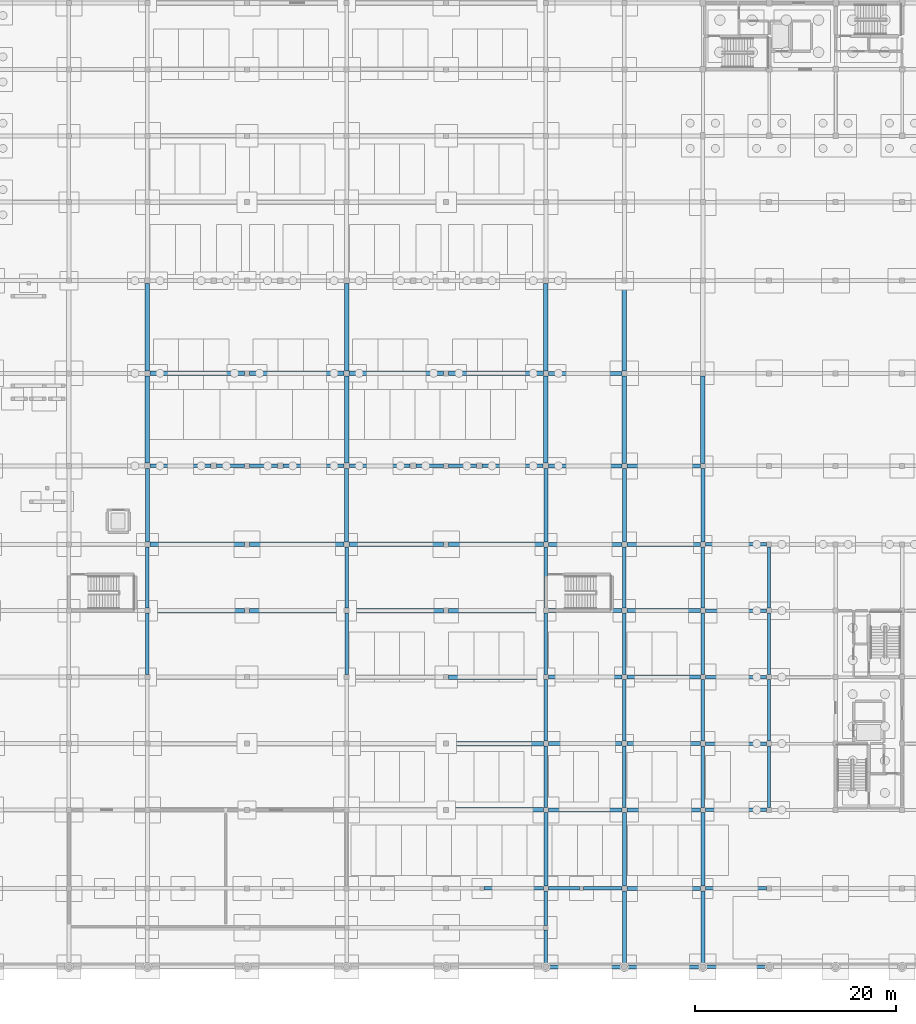
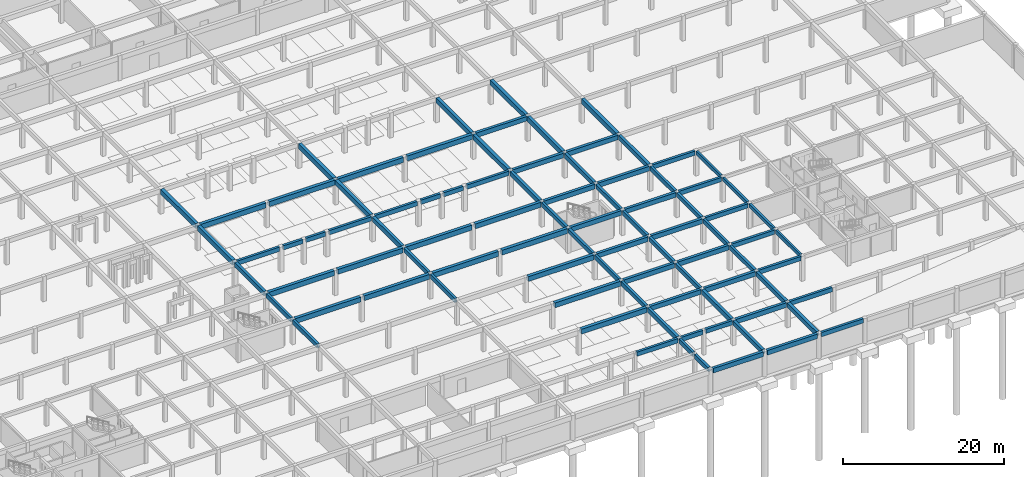
# One storey, part 17 of 37: 90 beams.
"""IFC4 building model written with IfcOpenShell, lengths in metres."""

import ifcopenshell
import ifcopenshell.guid

model = None  # the IFC model being written
_history = None  # IfcOwnerHistory: only IFC2X3 demands one
_inside = {}  # id of a spatial element -> (the spatial element, [elements in it])
_under = {}  # id of a project, library or spatial element -> (it, [spatial elements below it])
_declared = {}  # id of a project -> (the project, [libraries it declares])
_typed = {}  # id of a type object -> (the type object, [elements of that type])
_made_of = {}  # id of a material, layer set ... -> (it, [elements and type objects made of it])


def new_model(schema):
    """Start an empty IFC model of exactly this schema.

    Asked for "IFC4X3", IfcOpenShell would pick the latest addendum, in which some entities
    have other attributes; the version numbers below select the first issue.
    IFC2X3 requires an IfcOwnerHistory on every rooted entity: one is made here for all.
    """
    global model, _history
    if schema == "IFC4X3":
        model = ifcopenshell.file(schema_version=(4, 3, 0, 0))
    else:
        model = ifcopenshell.file(schema=schema)
    _inside.clear()
    _under.clear()
    _declared.clear()
    _typed.clear()
    _made_of.clear()
    _history = None
    if model.schema == "IFC2X3":
        org = make("IfcOrganization", Name="unknown")
        user = make(
            "IfcPersonAndOrganization",
            ThePerson=make("IfcPerson", FamilyName="unknown"),
            TheOrganization=org,
        )
        app = make(
            "IfcApplication",
            ApplicationDeveloper=org,
            Version="unknown",
            ApplicationFullName="unknown",
            ApplicationIdentifier="unknown",
        )
        _history = make(
            "IfcOwnerHistory",
            OwningUser=user,
            OwningApplication=app,
            ChangeAction="ADDED",
            CreationDate=0,
        )
    return model


def make(cls, **values):
    """One entity of the class cls with the attributes given. An attribute that is None is left unset."""
    return model.create_entity(
        cls, **{name: value for name, value in values.items() if value is not None}
    )


def rooted(cls, **values):
    """An entity with a GlobalId (a new one), such as an element, a storey or a relation."""
    return make(cls, GlobalId=ifcopenshell.guid.new(), OwnerHistory=_history, **values)


def si_unit(unit_type, name, prefix=None):
    """IfcSIUnit, for example si_unit("LENGTHUNIT", "METRE", prefix="MILLI")."""
    return make("IfcSIUnit", UnitType=unit_type, Prefix=prefix, Name=name)


def assignment(units):
    """IfcUnitAssignment: the units of a project."""
    return None if units is None else make("IfcUnitAssignment", Units=units)


def point(xyz):
    """IfcCartesianPoint."""
    return None if xyz is None else make("IfcCartesianPoint", Coordinates=xyz)


def direction(xyz):
    """IfcDirection."""
    return None if xyz is None else make("IfcDirection", DirectionRatios=xyz)


def frame(location, z_axis=None, x_axis=None):
    """IfcAxis2Placement3D, a coordinate frame: its origin and axes. An axis left out is left unset."""
    return make(
        "IfcAxis2Placement3D",
        Location=point(location),
        Axis=direction(z_axis),
        RefDirection=direction(x_axis),
    )


def frame_2d(location, x_axis=None):
    """IfcAxis2Placement2D, a coordinate frame in the plane: its origin and x axis."""
    return make(
        "IfcAxis2Placement2D", Location=point(location), RefDirection=direction(x_axis)
    )


def origin():
    """The frame at (0, 0, 0) with its axes left unset."""
    return frame((0.0, 0.0, 0.0))


def origin_2d():
    """The frame at (0, 0) in the plane with its x axis left unset."""
    return frame_2d((0.0, 0.0))


def place(relative_to, where):
    """IfcLocalPlacement: puts the frame where relative to a parent placement (None: the world)."""
    return make(
        "IfcLocalPlacement", PlacementRelTo=relative_to, RelativePlacement=where
    )


def context(
    kind, dimensions, precision=None, world=None, true_north=None, identifier=None
):
    """IfcGeometricRepresentationContext, for example the 3D "Model" context."""
    return make(
        "IfcGeometricRepresentationContext",
        ContextIdentifier=identifier,
        ContextType=kind,
        CoordinateSpaceDimension=dimensions,
        Precision=precision,
        WorldCoordinateSystem=world,
        TrueNorth=true_north,
    )


def subcontext(parent, identifier, kind, view, scale=None):
    """IfcGeometricRepresentationSubContext, for example "Body" below "Model"."""
    return make(
        "IfcGeometricRepresentationSubContext",
        ContextIdentifier=identifier,
        ContextType=kind,
        ParentContext=parent,
        TargetScale=scale,
        TargetView=view,
    )


def project(units=None, contexts=None):
    """IfcProject with its units and contexts."""
    return rooted(
        "IfcProject",
        Name="project",
        RepresentationContexts=contexts,
        UnitsInContext=assignment(units),
    )


def spatial(cls, under=None, at=None, **own):
    """A site, building, storey or space (cls), placed at a placement, below another one or the project."""
    s = rooted(cls, ObjectPlacement=at, **own)
    if under is not None:
        _under.setdefault(under.id(), (under, []))[1].append(s)
    return s


def profile(cls, at=None, kind="AREA", **sizes):
    """A parametric profile (cls). Its sizes go by their IFC names, for example OverallWidth=200.0."""
    return make(cls, ProfileType=kind, Position=at, **sizes)


def rectangle(**sizes):
    """IfcRectangleProfileDef."""
    return profile("IfcRectangleProfileDef", **sizes)


def extrude(swept, where, along, depth):
    """IfcExtrudedAreaSolid: the profile swept, set in the frame where, extruded along a direction by depth."""
    return make(
        "IfcExtrudedAreaSolid",
        SweptArea=swept,
        Position=where,
        ExtrudedDirection=direction(along),
        Depth=depth,
    )


def shape(context_of_items, identifier, shape_type, items):
    """IfcShapeRepresentation: the items that make up one representation, for example the "Body"."""
    return make(
        "IfcShapeRepresentation",
        ContextOfItems=context_of_items,
        RepresentationIdentifier=identifier,
        RepresentationType=shape_type,
        Items=items,
    )


def material(Name=None, Category=None):
    """IfcMaterial."""
    return make("IfcMaterial", Name=Name, Category=Category)


def material_profile(
    of_material, cross_section, Name=None, Category=None, Priority=None
):
    """IfcMaterialProfile: a cross section and its material."""
    return make(
        "IfcMaterialProfile",
        Name=Name,
        Material=of_material,
        Profile=cross_section,
        Priority=Priority,
        Category=Category,
    )


def profile_set(profiles, Name=None, composite=None):
    """IfcMaterialProfileSet."""
    return make(
        "IfcMaterialProfileSet",
        Name=Name,
        MaterialProfiles=profiles,
        CompositeProfile=composite,
    )


def made_of(thing, what):
    """Note that an element or type object is made of a material, layer set ...; save() writes the relation."""
    if what is not None:
        _made_of.setdefault(what.id(), (what, []))[1].append(thing)
    return thing


def type_object(cls, material=None, **own):
    """A type object (cls), such as IfcWallType, which elements share."""
    return made_of(rooted(cls, **own), material)


def element(
    cls,
    number,
    at=None,
    inside=None,
    cuts=None,
    type_object=None,
    material=None,
    context=None,
    identifier="Body",
    shape_type=None,
    held_by="IfcProductDefinitionShape",
    body=None,
    shapes=None,
    **own,
):
    """One element of the class cls, such as IfcWall. Its Tag is "e" and its number.

    at: its placement. inside: the storey or other place that contains it. cuts: it is an
    opening in that element (IfcRelVoidsElement). A single representation is given by context,
    identifier, shape_type and body (its items); several are given by shapes. held_by: the class
    of the entity that holds the representations. save() writes the other relations.
    """
    e = rooted(cls, Tag="e%d" % number, ObjectPlacement=at, **own)
    if body is not None:
        shapes = [shape(context, identifier, shape_type, body)]
    if shapes is not None:
        e.Representation = make(held_by, Representations=shapes)
    if inside is not None:
        _inside.setdefault(inside.id(), (inside, []))[1].append(e)
    if cuts is not None:
        rooted(
            "IfcRelVoidsElement", RelatingBuildingElement=cuts, RelatedOpeningElement=e
        )
    if type_object is not None:
        _typed.setdefault(type_object.id(), (type_object, []))[1].append(e)
    return made_of(e, material)


def aggregate(whole, parts):
    """IfcRelAggregates: a whole, such as a stair, and the parts it consists of."""
    return rooted("IfcRelAggregates", RelatingObject=whole, RelatedObjects=parts)


def save(model, path):
    """Write the relations noted so far, then the file.

    IfcRelAggregates (storeys below a building ...), IfcRelContainedInSpatialStructure (elements
    in a storey), IfcRelDefinesByType, IfcRelAssociatesMaterial and IfcRelDeclares: one each for
    every whole, place, type object, material and project.
    """
    for whole, parts in _under.values():
        aggregate(whole, parts)
    for where, things in _inside.values():
        rooted(
            "IfcRelContainedInSpatialStructure",
            RelatedElements=things,
            RelatingStructure=where,
        )
    for kind, things in _typed.values():
        rooted("IfcRelDefinesByType", RelatedObjects=things, RelatingType=kind)
    for what, things in _made_of.values():
        rooted("IfcRelAssociatesMaterial", RelatedObjects=things, RelatingMaterial=what)
    for by, libraries in _declared.values():
        rooted("IfcRelDeclares", RelatingContext=by, RelatedDefinitions=libraries)
    model.write(path)


model = new_model("IFC4")

# Units and contexts
model_context = context("Model", 3, precision=1e-05, world=origin(), true_north=direction((0.0, 1.0)))
body_context = subcontext(model_context, "Body", "Model", "MODEL_VIEW")
ifc_project = project(units=[si_unit("LENGTHUNIT", "METRE"), si_unit("AREAUNIT", "SQUARE_METRE"), si_unit("VOLUMEUNIT", "CUBIC_METRE"), si_unit("PLANEANGLEUNIT", "RADIAN"), si_unit("MASSUNIT", "GRAM", prefix="KILO")], contexts=[model_context])

# Site, building, storey
site_placement = place(None, origin())
site = spatial("IfcSite", under=ifc_project, at=site_placement, CompositionType="ELEMENT")
building_placement = place(site_placement, origin())
building = spatial("IfcBuilding", under=site, at=building_placement, Name="Kernevlak Ridge Housing Community", CompositionType="ELEMENT")
storey_placement = place(building_placement, frame((0.0, 0.0, -3.800048828125)))
storey = spatial("IfcBuildingStorey", under=building, at=storey_placement, Name="B1", CompositionType="ELEMENT", Elevation=-3.800048828125)

# Beams
ifc_material = material(Name="Concrete C35/45", Category="concrete")
ifc_material_profile_1 = material_profile(ifc_material, rectangle(XDim=0.39990234375, YDim=0.699951171875, at=origin_2d()), Name="RC 400x700")
ifc_profile_set_1 = profile_set([ifc_material_profile_1], Name="Concrete C35/45")
beam_type_1 = type_object("IfcBeamType", Name="B-01", PredefinedType="BEAM", material=ifc_profile_set_1)
beam_1_placement = place(storey_placement, frame((104.10009765625, 0.0, 3.449951171875), z_axis=(1.0, 0.0, 0.0), x_axis=(0.0, 1.0, 0.0)))
element("IfcBeam", 1, at=beam_1_placement, inside=storey, type_object=beam_type_1, Name="Beam B-01 B1 1546", PredefinedType="BEAM", context=body_context, shape_type="SweptSolid", body=[
    extrude(rectangle(XDim=0.39990234375, YDim=0.699951171875, at=origin_2d()), origin(), (0.0, 0.0, 1.0), 7.199951171875),
])
beam_2_placement = place(storey_placement, frame((111.89990234375, 0.0, 3.449951171875), z_axis=(1.0, 0.0, 0.0), x_axis=(0.0, 1.0, 0.0)))
element("IfcBeam", 2, at=beam_2_placement, inside=storey, type_object=beam_type_1, Name="Beam B-01 B1 1547", PredefinedType="BEAM", context=body_context, shape_type="SweptSolid", body=[
    extrude(rectangle(XDim=0.39990234375, YDim=0.699951171875, at=origin_2d()), origin(), (0.0, 0.0, 1.0), 7.2001953125),
])
beam_3_placement = place(storey_placement, frame((111.85009765625, 7.800048828125, 3.449951171875), z_axis=(1.0, 0.0, 0.0), x_axis=(0.0, 1.0, 0.0)))
element("IfcBeam", 3, at=beam_3_placement, inside=storey, type_object=beam_type_1, Name="Beam B-01 B1 1578", PredefinedType="BEAM", context=body_context, shape_type="SweptSolid", body=[
    extrude(rectangle(XDim=0.39990234375, YDim=0.699951171875, at=origin_2d()), origin(), (0.0, 0.0, 1.0), 7.2998046875),
])
beam_4_placement = place(storey_placement, frame((104.050048828125, 15.60009765625, 3.449951171875), z_axis=(1.0, 0.0, 0.0), x_axis=(0.0, 1.0, 0.0)))
element("IfcBeam", 4, at=beam_4_placement, inside=storey, type_object=beam_type_1, Name="Beam B-01 B1 1594", PredefinedType="BEAM", context=body_context, shape_type="SweptSolid", body=[
    extrude(rectangle(XDim=0.39990234375, YDim=0.699951171875, at=origin_2d()), origin(), (0.0, 0.0, 1.0), 7.300048828125),
])
beam_5_placement = place(storey_placement, frame((111.85009765625, 15.60009765625, 3.449951171875), z_axis=(1.0, 0.0, 0.0), x_axis=(0.0, 1.0, 0.0)))
element("IfcBeam", 5, at=beam_5_placement, inside=storey, type_object=beam_type_1, Name="Beam B-01 B1 1595", PredefinedType="BEAM", context=body_context, shape_type="SweptSolid", body=[
    extrude(rectangle(XDim=0.39990234375, YDim=0.699951171875, at=origin_2d()), origin(), (0.0, 0.0, 1.0), 7.2998046875),
])
beam_6_placement = place(storey_placement, frame((104.050048828125, 22.199951171875, 3.449951171875), z_axis=(1.0, 0.0, 0.0), x_axis=(0.0, 1.0, 0.0)))
element("IfcBeam", 6, at=beam_6_placement, inside=storey, type_object=beam_type_1, Name="Beam B-01 B1 1608", PredefinedType="BEAM", context=body_context, shape_type="SweptSolid", body=[
    extrude(rectangle(XDim=0.39990234375, YDim=0.699951171875, at=origin_2d()), origin(), (0.0, 0.0, 1.0), 7.300048828125),
])
beam_7_placement = place(storey_placement, frame((111.85009765625, 22.199951171875, 3.449951171875), z_axis=(1.0, 0.0, 0.0), x_axis=(0.0, 1.0, 0.0)))
element("IfcBeam", 7, at=beam_7_placement, inside=storey, type_object=beam_type_1, Name="Beam B-01 B1 1609", PredefinedType="BEAM", context=body_context, shape_type="SweptSolid", body=[
    extrude(rectangle(XDim=0.39990234375, YDim=0.699951171875, at=origin_2d()), origin(), (0.0, 0.0, 1.0), 7.2998046875),
])
beam_8_placement = place(storey_placement, frame((104.050048828125, 28.800048828125, 3.449951171875), z_axis=(1.0, 0.0, 0.0), x_axis=(0.0, 1.0, 0.0)))
element("IfcBeam", 8, at=beam_8_placement, inside=storey, type_object=beam_type_1, Name="Beam B-01 B1 1622", PredefinedType="BEAM", context=body_context, shape_type="SweptSolid", body=[
    extrude(rectangle(XDim=0.39990234375, YDim=0.699951171875, at=origin_2d()), origin(), (0.0, 0.0, 1.0), 7.300048828125),
])
beam_9_placement = place(storey_placement, frame((111.85009765625, 28.800048828125, 3.449951171875), z_axis=(1.0, 0.0, 0.0), x_axis=(0.0, 1.0, 0.0)))
element("IfcBeam", 9, at=beam_9_placement, inside=storey, type_object=beam_type_1, Name="Beam B-01 B1 1623", PredefinedType="BEAM", context=body_context, shape_type="SweptSolid", body=[
    extrude(rectangle(XDim=0.39990234375, YDim=0.699951171875, at=origin_2d()), origin(), (0.0, 0.0, 1.0), 7.2998046875),
])
beam_10_placement = place(storey_placement, frame((104.050048828125, 35.39990234375, 3.449951171875), z_axis=(1.0, 0.0, 0.0), x_axis=(0.0, 1.0, 0.0)))
element("IfcBeam", 10, at=beam_10_placement, inside=storey, type_object=beam_type_1, Name="Beam B-01 B1 1636", PredefinedType="BEAM", context=body_context, shape_type="SweptSolid", body=[
    extrude(rectangle(XDim=0.39990234375, YDim=0.699951171875, at=origin_2d()), origin(), (0.0, 0.0, 1.0), 7.300048828125),
])
beam_11_placement = place(storey_placement, frame((111.85009765625, 35.39990234375, 3.449951171875), z_axis=(1.0, 0.0, 0.0), x_axis=(0.0, 1.0, 0.0)))
element("IfcBeam", 11, at=beam_11_placement, inside=storey, type_object=beam_type_1, Name="Beam B-01 B1 1637", PredefinedType="BEAM", context=body_context, shape_type="SweptSolid", body=[
    extrude(rectangle(XDim=0.39990234375, YDim=0.699951171875, at=origin_2d()), origin(), (0.0, 0.0, 1.0), 7.2998046875),
])
beam_12_placement = place(storey_placement, frame((104.050048828125, 42.0, 3.449951171875), z_axis=(1.0, 0.0, 0.0), x_axis=(0.0, 1.0, 0.0)))
element("IfcBeam", 12, at=beam_12_placement, inside=storey, type_object=beam_type_1, Name="Beam B-01 B1 1654", PredefinedType="BEAM", context=body_context, shape_type="SweptSolid", body=[
    extrude(rectangle(XDim=0.39990234375, YDim=0.699951171875, at=origin_2d()), origin(), (0.0, 0.0, 1.0), 7.300048828125),
])
beam_13_placement = place(storey_placement, frame((111.85009765625, 42.0, 3.449951171875), z_axis=(1.0, 0.0, 0.0), x_axis=(0.0, 1.0, 0.0)))
element("IfcBeam", 13, at=beam_13_placement, inside=storey, type_object=beam_type_1, Name="Beam B-01 B1 1655", PredefinedType="BEAM", context=body_context, shape_type="SweptSolid", body=[
    extrude(rectangle(XDim=0.39990234375, YDim=0.699951171875, at=origin_2d()), origin(), (0.0, 0.0, 1.0), 7.2998046875),
])
beam_14_placement = place(storey_placement, frame((104.074951171875, 49.800048828125, 3.449951171875), z_axis=(1.0, 0.0, 0.0), x_axis=(0.0, 1.0, 0.0)))
element("IfcBeam", 14, at=beam_14_placement, inside=storey, type_object=beam_type_1, Name="Beam B-01 B1 1677", PredefinedType="BEAM", context=body_context, shape_type="SweptSolid", body=[
    extrude(rectangle(XDim=0.39990234375, YDim=0.699951171875, at=origin_2d()), origin(), (0.0, 0.0, 1.0), 7.275146484375),
])
beam_15_placement = place(storey_placement, frame((111.85009765625, 49.800048828125, 3.449951171875), z_axis=(1.0, 0.0, 0.0), x_axis=(0.0, 1.0, 0.0)))
element("IfcBeam", 15, at=beam_15_placement, inside=storey, type_object=beam_type_1, Name="Beam B-01 B1 1678", PredefinedType="BEAM", context=body_context, shape_type="SweptSolid", body=[
    extrude(rectangle(XDim=0.39990234375, YDim=0.699951171875, at=origin_2d()), origin(), (0.0, 0.0, 1.0), 7.2998046875),
])
beam_16_placement = place(storey_placement, frame((104.050048828125, 59.0, 3.449951171875), z_axis=(1.0, 0.0, 0.0), x_axis=(0.0, 1.0, 0.0)))
element("IfcBeam", 16, at=beam_16_placement, inside=storey, type_object=beam_type_1, Name="Beam B-01 B1 1703", PredefinedType="BEAM", context=body_context, shape_type="SweptSolid", body=[
    extrude(rectangle(XDim=0.39990234375, YDim=0.699951171875, at=origin_2d()), origin(), (0.0, 0.0, 1.0), 7.300048828125),
])
for number, where, z_axis, x_axis, name in (
    (17, (64.199951171875, 42.25, 3.449951171875), (0.0, 1.0, 0.0), (-1.0, 0.0, 0.0), "Beam B-01 B1 1924"),
    (18, (84.0, 42.25, 3.449951171875), (0.0, 1.0, 0.0), (-1.0, 0.0, 0.0), "Beam B-01 B1 1941"),
):
    element("IfcBeam", number, at=place(storey_placement, frame(where, z_axis=z_axis, x_axis=x_axis)), inside=storey, type_object=beam_type_1, Name=name, PredefinedType="BEAM", context=body_context, shape_type="SweptSolid", body=[
        extrude(rectangle(XDim=0.39990234375, YDim=0.699951171875, at=origin_2d()), origin(), (0.0, 0.0, 1.0), 7.27490234375),
    ])
beam_17_placement = place(storey_placement, frame((103.800048828125, 8.050048828125, 3.449951171875), z_axis=(0.0, 1.0, 0.0), x_axis=(-1.0, 0.0, 0.0)))
element("IfcBeam", 19, at=beam_17_placement, inside=storey, type_object=beam_type_1, Name="Beam B-01 B1 1953", PredefinedType="BEAM", context=body_context, shape_type="SweptSolid", body=[
    extrude(rectangle(XDim=0.39990234375, YDim=0.699951171875, at=origin_2d()), origin(), (0.0, 0.0, 1.0), 7.300048828125),
])
beam_18_placement = place(storey_placement, frame((103.800048828125, 42.25, 3.449951171875), z_axis=(0.0, 1.0, 0.0), x_axis=(-1.0, 0.0, 0.0)))
element("IfcBeam", 20, at=beam_18_placement, inside=storey, type_object=beam_type_1, Name="Beam B-01 B1 1958", PredefinedType="BEAM", context=body_context, shape_type="SweptSolid", body=[
    extrude(rectangle(XDim=0.39990234375, YDim=0.699951171875, at=origin_2d()), origin(), (0.0, 0.0, 1.0), 7.27490234375),
])
beam_19_placement = place(storey_placement, frame((111.60009765625, 0.300048828125, 3.449951171875), z_axis=(0.0, 1.0, 0.0), x_axis=(-1.0, 0.0, 0.0)))
element("IfcBeam", 21, at=beam_19_placement, inside=storey, type_object=beam_type_1, Name="Beam B-01 B1 1968", PredefinedType="BEAM", context=body_context, shape_type="SweptSolid", body=[
    extrude(rectangle(XDim=0.39990234375, YDim=0.699951171875, at=origin_2d()), origin(), (0.0, 0.0, 1.0), 7.25),
])
for number, where, z_axis, x_axis, name in (
    (22, (111.60009765625, 8.050048828125, 3.449951171875), (0.0, 1.0, 0.0), (-1.0, 0.0, 0.0), "Beam B-01 B1 1969"),
    (23, (111.60009765625, 42.25, 3.449951171875), (0.0, 1.0, 0.0), (-1.0, 0.0, 0.0), "Beam B-01 B1 1974"),
):
    element("IfcBeam", number, at=place(storey_placement, frame(where, z_axis=z_axis, x_axis=x_axis)), inside=storey, type_object=beam_type_1, Name=name, PredefinedType="BEAM", context=body_context, shape_type="SweptSolid", body=[
        extrude(rectangle(XDim=0.39990234375, YDim=0.699951171875, at=origin_2d()), origin(), (0.0, 0.0, 1.0), 7.300048828125),
    ])
beam_20_placement = place(storey_placement, frame((119.39990234375, 0.300048828125, 3.449951171875), z_axis=(0.0, 1.0, 0.0), x_axis=(-1.0, 0.0, 0.0)))
element("IfcBeam", 24, at=beam_20_placement, inside=storey, type_object=beam_type_1, Name="Beam B-01 B1 1984", PredefinedType="BEAM", context=body_context, shape_type="SweptSolid", body=[
    extrude(rectangle(XDim=0.39990234375, YDim=0.699951171875, at=origin_2d()), origin(), (0.0, 0.0, 1.0), 7.25),
])
for number, where, z_axis, x_axis, name in (
    (25, (119.39990234375, 8.050048828125, 3.449951171875), (0.0, 1.0, 0.0), (-1.0, 0.0, 0.0), "Beam B-01 B1 1985"),
    (26, (119.39990234375, 42.25, 3.449951171875), (0.0, 1.0, 0.0), (-1.0, 0.0, 0.0), "Beam B-01 B1 1990"),
):
    element("IfcBeam", number, at=place(storey_placement, frame(where, z_axis=z_axis, x_axis=x_axis)), inside=storey, type_object=beam_type_1, Name=name, PredefinedType="BEAM", context=body_context, shape_type="SweptSolid", body=[
        extrude(rectangle(XDim=0.39990234375, YDim=0.699951171875, at=origin_2d()), origin(), (0.0, 0.0, 1.0), 7.300048828125),
    ])
ifc_material_profile_2 = material_profile(ifc_material, rectangle(XDim=0.35009765625, YDim=0.64990234375, at=origin_2d()), Name="RC 350x650")
ifc_profile_set_2 = profile_set([ifc_material_profile_2], Name="Concrete C35/45")
beam_type_2 = type_object("IfcBeamType", Name="B-02", PredefinedType="BEAM", material=ifc_profile_set_2)
beam_21_placement = place(storey_placement, frame((119.699951171875, 0.0, 3.47509765625), z_axis=(1.0, 0.0, 0.0), x_axis=(0.0, 1.0, 0.0)))
element("IfcBeam", 27, at=beam_21_placement, inside=storey, type_object=beam_type_2, Name="Beam B-02 B1 1548", PredefinedType="BEAM", context=body_context, shape_type="SweptSolid", body=[
    extrude(rectangle(XDim=0.35009765625, YDim=0.64990234375, at=origin_2d()), origin(), (0.0, 0.0, 1.0), 6.0),
])
beam_22_placement = place(storey_placement, frame((97.64990234375, 7.800048828125, 3.47509765625), z_axis=(1.0, 0.0, 0.0), x_axis=(0.0, 1.0, 0.0)))
element("IfcBeam", 28, at=beam_22_placement, inside=storey, type_object=beam_type_2, Name="Beam B-02 B1 1575", PredefinedType="BEAM", context=body_context, shape_type="SweptSolid", body=[
    extrude(rectangle(XDim=0.35009765625, YDim=0.64990234375, at=origin_2d()), origin(), (0.0, 0.0, 1.0), 5.900146484375),
])
beam_23_placement = place(storey_placement, frame((104.050048828125, 7.800048828125, 3.47509765625), z_axis=(1.0, 0.0, 0.0), x_axis=(0.0, 1.0, 0.0)))
element("IfcBeam", 29, at=beam_23_placement, inside=storey, type_object=beam_type_2, Name="Beam B-02 B1 1576", PredefinedType="BEAM", context=body_context, shape_type="SweptSolid", body=[
    extrude(rectangle(XDim=0.35009765625, YDim=0.64990234375, at=origin_2d()), origin(), (0.0, 0.0, 1.0), 3.099853515625),
])
beam_24_placement = place(storey_placement, frame((107.550048828125, 7.800048828125, 3.47509765625), z_axis=(1.0, 0.0, 0.0), x_axis=(0.0, 1.0, 0.0)))
element("IfcBeam", 30, at=beam_24_placement, inside=storey, type_object=beam_type_2, Name="Beam B-02 B1 1577", PredefinedType="BEAM", context=body_context, shape_type="SweptSolid", body=[
    extrude(rectangle(XDim=0.35009765625, YDim=0.64990234375, at=origin_2d()), origin(), (0.0, 0.0, 1.0), 3.800048828125),
])
for number, where, z_axis, x_axis, name in (
    (31, (119.64990234375, 7.800048828125, 3.47509765625), (1.0, 0.0, 0.0), (0.0, 1.0, 0.0), "Beam B-02 B1 1579"),
    (32, (119.64990234375, 15.60009765625, 3.47509765625), (1.0, 0.0, 0.0), (0.0, 1.0, 0.0), "Beam B-02 B1 1596"),
    (33, (119.64990234375, 22.199951171875, 3.47509765625), (1.0, 0.0, 0.0), (0.0, 1.0, 0.0), "Beam B-02 B1 1610"),
    (34, (119.64990234375, 28.800048828125, 3.47509765625), (1.0, 0.0, 0.0), (0.0, 1.0, 0.0), "Beam B-02 B1 1624"),
    (35, (119.64990234375, 35.39990234375, 3.47509765625), (1.0, 0.0, 0.0), (0.0, 1.0, 0.0), "Beam B-02 B1 1638"),
    (36, (119.64990234375, 42.0, 3.47509765625), (1.0, 0.0, 0.0), (0.0, 1.0, 0.0), "Beam B-02 B1 1656"),
):
    element("IfcBeam", number, at=place(storey_placement, frame(where, z_axis=z_axis, x_axis=x_axis)), inside=storey, type_object=beam_type_2, Name=name, PredefinedType="BEAM", context=body_context, shape_type="SweptSolid", body=[
        extrude(rectangle(XDim=0.35009765625, YDim=0.64990234375, at=origin_2d()), origin(), (0.0, 0.0, 1.0), 6.10009765625),
    ])
beam_25_placement = place(storey_placement, frame((64.47509765625, 49.800048828125, 3.47509765625), z_axis=(1.0, 0.0, 0.0), x_axis=(0.0, 1.0, 0.0)))
element("IfcBeam", 37, at=beam_25_placement, inside=storey, type_object=beam_type_2, Name="Beam B-02 B1 1669", PredefinedType="BEAM", context=body_context, shape_type="SweptSolid", body=[
    extrude(rectangle(XDim=0.35009765625, YDim=0.64990234375, at=origin_2d()), origin(), (0.0, 0.0, 1.0), 6.0498046875),
])
beam_26_placement = place(storey_placement, frame((71.074951171875, 49.800048828125, 3.47509765625), z_axis=(1.0, 0.0, 0.0), x_axis=(0.0, 1.0, 0.0)))
element("IfcBeam", 38, at=beam_26_placement, inside=storey, type_object=beam_type_2, Name="Beam B-02 B1 1670", PredefinedType="BEAM", context=body_context, shape_type="SweptSolid", body=[
    extrude(rectangle(XDim=0.35009765625, YDim=0.64990234375, at=origin_2d()), origin(), (0.0, 0.0, 1.0), 2.775146484375),
])
beam_27_placement = place(storey_placement, frame((74.35009765625, 49.800048828125, 3.47509765625), z_axis=(1.0, 0.0, 0.0), x_axis=(0.0, 1.0, 0.0)))
element("IfcBeam", 39, at=beam_27_placement, inside=storey, type_object=beam_type_2, Name="Beam B-02 B1 1671", PredefinedType="BEAM", context=body_context, shape_type="SweptSolid", body=[
    extrude(rectangle(XDim=0.35009765625, YDim=0.64990234375, at=origin_2d()), origin(), (0.0, 0.0, 1.0), 2.77490234375),
])
for number, where, z_axis, x_axis, name in (
    (40, (77.675048828125, 49.800048828125, 3.47509765625), (1.0, 0.0, 0.0), (0.0, 1.0, 0.0), "Beam B-02 B1 1672"),
    (41, (84.27490234375, 49.800048828125, 3.47509765625), (1.0, 0.0, 0.0), (0.0, 1.0, 0.0), "Beam B-02 B1 1673"),
):
    element("IfcBeam", number, at=place(storey_placement, frame(where, z_axis=z_axis, x_axis=x_axis)), inside=storey, type_object=beam_type_2, Name=name, PredefinedType="BEAM", context=body_context, shape_type="SweptSolid", body=[
        extrude(rectangle(XDim=0.35009765625, YDim=0.64990234375, at=origin_2d()), origin(), (0.0, 0.0, 1.0), 6.050048828125),
    ])
beam_28_placement = place(storey_placement, frame((90.875, 49.800048828125, 3.47509765625), z_axis=(1.0, 0.0, 0.0), x_axis=(0.0, 1.0, 0.0)))
element("IfcBeam", 42, at=beam_28_placement, inside=storey, type_object=beam_type_2, Name="Beam B-02 B1 1674", PredefinedType="BEAM", context=body_context, shape_type="SweptSolid", body=[
    extrude(rectangle(XDim=0.35009765625, YDim=0.64990234375, at=origin_2d()), origin(), (0.0, 0.0, 1.0), 2.77490234375),
])
beam_29_placement = place(storey_placement, frame((94.14990234375, 49.800048828125, 3.47509765625), z_axis=(1.0, 0.0, 0.0), x_axis=(0.0, 1.0, 0.0)))
element("IfcBeam", 43, at=beam_29_placement, inside=storey, type_object=beam_type_2, Name="Beam B-02 B1 1675", PredefinedType="BEAM", context=body_context, shape_type="SweptSolid", body=[
    extrude(rectangle(XDim=0.35009765625, YDim=0.64990234375, at=origin_2d()), origin(), (0.0, 0.0, 1.0), 2.775146484375),
])
beam_30_placement = place(storey_placement, frame((97.47509765625, 49.800048828125, 3.47509765625), z_axis=(1.0, 0.0, 0.0), x_axis=(0.0, 1.0, 0.0)))
element("IfcBeam", 44, at=beam_30_placement, inside=storey, type_object=beam_type_2, Name="Beam B-02 B1 1676", PredefinedType="BEAM", context=body_context, shape_type="SweptSolid", body=[
    extrude(rectangle(XDim=0.35009765625, YDim=0.64990234375, at=origin_2d()), origin(), (0.0, 0.0, 1.0), 6.0498046875),
])
beam_31_placement = place(storey_placement, frame((64.199951171875, 29.050048828125, 3.47509765625), z_axis=(0.0, 1.0, 0.0), x_axis=(-1.0, 0.0, 0.0)))
element("IfcBeam", 45, at=beam_31_placement, inside=storey, type_object=beam_type_2, Name="Beam B-02 B1 1922", PredefinedType="BEAM", context=body_context, shape_type="SweptSolid", body=[
    extrude(rectangle(XDim=0.35009765625, YDim=0.64990234375, at=origin_2d()), origin(), (0.0, 0.0, 1.0), 6.099853515625),
])
beam_32_placement = place(storey_placement, frame((64.199951171875, 35.64990234375, 3.47509765625), z_axis=(0.0, 1.0, 0.0), x_axis=(-1.0, 0.0, 0.0)))
element("IfcBeam", 46, at=beam_32_placement, inside=storey, type_object=beam_type_2, Name="Beam B-02 B1 1923", PredefinedType="BEAM", context=body_context, shape_type="SweptSolid", body=[
    extrude(rectangle(XDim=0.35009765625, YDim=0.64990234375, at=origin_2d()), origin(), (0.0, 0.0, 1.0), 6.10009765625),
])
beam_33_placement = place(storey_placement, frame((84.0, 29.050048828125, 3.47509765625), z_axis=(0.0, 1.0, 0.0), x_axis=(-1.0, 0.0, 0.0)))
element("IfcBeam", 47, at=beam_33_placement, inside=storey, type_object=beam_type_2, Name="Beam B-02 B1 1939", PredefinedType="BEAM", context=body_context, shape_type="SweptSolid", body=[
    extrude(rectangle(XDim=0.35009765625, YDim=0.64990234375, at=origin_2d()), origin(), (0.0, 0.0, 1.0), 6.099853515625),
])
beam_34_placement = place(storey_placement, frame((84.0, 35.64990234375, 3.47509765625), z_axis=(0.0, 1.0, 0.0), x_axis=(-1.0, 0.0, 0.0)))
element("IfcBeam", 48, at=beam_34_placement, inside=storey, type_object=beam_type_2, Name="Beam B-02 B1 1940", PredefinedType="BEAM", context=body_context, shape_type="SweptSolid", body=[
    extrude(rectangle(XDim=0.35009765625, YDim=0.64990234375, at=origin_2d()), origin(), (0.0, 0.0, 1.0), 6.10009765625),
])
beam_35_placement = place(storey_placement, frame((103.800048828125, 0.300048828125, 3.47509765625), z_axis=(0.0, 1.0, 0.0), x_axis=(-1.0, 0.0, 0.0)))
element("IfcBeam", 49, at=beam_35_placement, inside=storey, type_object=beam_type_2, Name="Beam B-02 B1 1951", PredefinedType="BEAM", context=body_context, shape_type="SweptSolid", body=[
    extrude(rectangle(XDim=0.35009765625, YDim=0.64990234375, at=origin_2d()), origin(), (0.0, 0.0, 1.0), 3.375),
])
beam_36_placement = place(storey_placement, frame((103.800048828125, 4.125, 3.47509765625), z_axis=(0.0, 1.0, 0.0), x_axis=(-1.0, 0.0, 0.0)))
element("IfcBeam", 50, at=beam_36_placement, inside=storey, type_object=beam_type_2, Name="Beam B-02 B1 1952", PredefinedType="BEAM", context=body_context, shape_type="SweptSolid", body=[
    extrude(rectangle(XDim=0.35009765625, YDim=0.64990234375, at=origin_2d()), origin(), (0.0, 0.0, 1.0), 3.425048828125),
])
beam_37_placement = place(storey_placement, frame((103.800048828125, 15.85009765625, 3.47509765625), z_axis=(0.0, 1.0, 0.0), x_axis=(-1.0, 0.0, 0.0)))
element("IfcBeam", 51, at=beam_37_placement, inside=storey, type_object=beam_type_2, Name="Beam B-02 B1 1954", PredefinedType="BEAM", context=body_context, shape_type="SweptSolid", body=[
    extrude(rectangle(XDim=0.35009765625, YDim=0.64990234375, at=origin_2d()), origin(), (0.0, 0.0, 1.0), 6.099853515625),
])
beam_38_placement = place(storey_placement, frame((103.800048828125, 22.449951171875, 3.47509765625), z_axis=(0.0, 1.0, 0.0), x_axis=(-1.0, 0.0, 0.0)))
element("IfcBeam", 52, at=beam_38_placement, inside=storey, type_object=beam_type_2, Name="Beam B-02 B1 1955", PredefinedType="BEAM", context=body_context, shape_type="SweptSolid", body=[
    extrude(rectangle(XDim=0.35009765625, YDim=0.64990234375, at=origin_2d()), origin(), (0.0, 0.0, 1.0), 6.10009765625),
])
beam_39_placement = place(storey_placement, frame((103.800048828125, 29.050048828125, 3.47509765625), z_axis=(0.0, 1.0, 0.0), x_axis=(-1.0, 0.0, 0.0)))
element("IfcBeam", 53, at=beam_39_placement, inside=storey, type_object=beam_type_2, Name="Beam B-02 B1 1956", PredefinedType="BEAM", context=body_context, shape_type="SweptSolid", body=[
    extrude(rectangle(XDim=0.35009765625, YDim=0.64990234375, at=origin_2d()), origin(), (0.0, 0.0, 1.0), 6.099853515625),
])
beam_40_placement = place(storey_placement, frame((103.800048828125, 35.64990234375, 3.47509765625), z_axis=(0.0, 1.0, 0.0), x_axis=(-1.0, 0.0, 0.0)))
element("IfcBeam", 54, at=beam_40_placement, inside=storey, type_object=beam_type_2, Name="Beam B-02 B1 1957", PredefinedType="BEAM", context=body_context, shape_type="SweptSolid", body=[
    extrude(rectangle(XDim=0.35009765625, YDim=0.64990234375, at=origin_2d()), origin(), (0.0, 0.0, 1.0), 6.10009765625),
])
beam_41_placement = place(storey_placement, frame((111.60009765625, 15.85009765625, 3.47509765625), z_axis=(0.0, 1.0, 0.0), x_axis=(-1.0, 0.0, 0.0)))
element("IfcBeam", 55, at=beam_41_placement, inside=storey, type_object=beam_type_2, Name="Beam B-02 B1 1970", PredefinedType="BEAM", context=body_context, shape_type="SweptSolid", body=[
    extrude(rectangle(XDim=0.35009765625, YDim=0.64990234375, at=origin_2d()), origin(), (0.0, 0.0, 1.0), 6.099853515625),
])
beam_42_placement = place(storey_placement, frame((111.60009765625, 22.449951171875, 3.47509765625), z_axis=(0.0, 1.0, 0.0), x_axis=(-1.0, 0.0, 0.0)))
element("IfcBeam", 56, at=beam_42_placement, inside=storey, type_object=beam_type_2, Name="Beam B-02 B1 1971", PredefinedType="BEAM", context=body_context, shape_type="SweptSolid", body=[
    extrude(rectangle(XDim=0.35009765625, YDim=0.64990234375, at=origin_2d()), origin(), (0.0, 0.0, 1.0), 6.10009765625),
])
beam_43_placement = place(storey_placement, frame((111.60009765625, 29.050048828125, 3.47509765625), z_axis=(0.0, 1.0, 0.0), x_axis=(-1.0, 0.0, 0.0)))
element("IfcBeam", 57, at=beam_43_placement, inside=storey, type_object=beam_type_2, Name="Beam B-02 B1 1972", PredefinedType="BEAM", context=body_context, shape_type="SweptSolid", body=[
    extrude(rectangle(XDim=0.35009765625, YDim=0.64990234375, at=origin_2d()), origin(), (0.0, 0.0, 1.0), 6.099853515625),
])
beam_44_placement = place(storey_placement, frame((111.60009765625, 35.64990234375, 3.47509765625), z_axis=(0.0, 1.0, 0.0), x_axis=(-1.0, 0.0, 0.0)))
element("IfcBeam", 58, at=beam_44_placement, inside=storey, type_object=beam_type_2, Name="Beam B-02 B1 1973", PredefinedType="BEAM", context=body_context, shape_type="SweptSolid", body=[
    extrude(rectangle(XDim=0.35009765625, YDim=0.64990234375, at=origin_2d()), origin(), (0.0, 0.0, 1.0), 6.10009765625),
])
beam_45_placement = place(storey_placement, frame((119.39990234375, 15.85009765625, 3.47509765625), z_axis=(0.0, 1.0, 0.0), x_axis=(-1.0, 0.0, 0.0)))
element("IfcBeam", 59, at=beam_45_placement, inside=storey, type_object=beam_type_2, Name="Beam B-02 B1 1986", PredefinedType="BEAM", context=body_context, shape_type="SweptSolid", body=[
    extrude(rectangle(XDim=0.35009765625, YDim=0.64990234375, at=origin_2d()), origin(), (0.0, 0.0, 1.0), 6.099853515625),
])
beam_46_placement = place(storey_placement, frame((119.39990234375, 22.449951171875, 3.47509765625), z_axis=(0.0, 1.0, 0.0), x_axis=(-1.0, 0.0, 0.0)))
element("IfcBeam", 60, at=beam_46_placement, inside=storey, type_object=beam_type_2, Name="Beam B-02 B1 1987", PredefinedType="BEAM", context=body_context, shape_type="SweptSolid", body=[
    extrude(rectangle(XDim=0.35009765625, YDim=0.64990234375, at=origin_2d()), origin(), (0.0, 0.0, 1.0), 6.10009765625),
])
beam_47_placement = place(storey_placement, frame((119.39990234375, 29.050048828125, 3.47509765625), z_axis=(0.0, 1.0, 0.0), x_axis=(-1.0, 0.0, 0.0)))
element("IfcBeam", 61, at=beam_47_placement, inside=storey, type_object=beam_type_2, Name="Beam B-02 B1 1988", PredefinedType="BEAM", context=body_context, shape_type="SweptSolid", body=[
    extrude(rectangle(XDim=0.35009765625, YDim=0.64990234375, at=origin_2d()), origin(), (0.0, 0.0, 1.0), 6.099853515625),
])
beam_48_placement = place(storey_placement, frame((119.39990234375, 35.64990234375, 3.47509765625), z_axis=(0.0, 1.0, 0.0), x_axis=(-1.0, 0.0, 0.0)))
element("IfcBeam", 62, at=beam_48_placement, inside=storey, type_object=beam_type_2, Name="Beam B-02 B1 1989", PredefinedType="BEAM", context=body_context, shape_type="SweptSolid", body=[
    extrude(rectangle(XDim=0.35009765625, YDim=0.64990234375, at=origin_2d()), origin(), (0.0, 0.0, 1.0), 6.10009765625),
])
ifc_material_profile_3 = material_profile(ifc_material, rectangle(XDim=0.449951171875, YDim=0.75, at=origin_2d()), Name="RC 450x750")
ifc_profile_set_3 = profile_set([ifc_material_profile_3], Name="Concrete C35/45")
beam_type_3 = type_object("IfcBeamType", Name="B-05", PredefinedType="BEAM", material=ifc_profile_set_3)
for number, where, z_axis, x_axis, name in (
    (63, (94.14990234375, 15.60009765625, 3.425048828125), (1.0, 0.0, 0.0), (0.0, 1.0, 0.0), "Beam B-05 B1 1593"),
    (64, (94.14990234375, 22.199951171875, 3.425048828125), (1.0, 0.0, 0.0), (0.0, 1.0, 0.0), "Beam B-05 B1 1607"),
    (65, (94.14990234375, 28.800048828125, 3.425048828125), (1.0, 0.0, 0.0), (0.0, 1.0, 0.0), "Beam B-05 B1 1621"),
    (66, (64.449951171875, 35.39990234375, 3.425048828125), (1.0, 0.0, 0.0), (0.0, 1.0, 0.0), "Beam B-05 B1 1632"),
):
    element("IfcBeam", number, at=place(storey_placement, frame(where, z_axis=z_axis, x_axis=x_axis)), inside=storey, type_object=beam_type_3, Name=name, PredefinedType="BEAM", context=body_context, shape_type="SweptSolid", body=[
        extrude(rectangle(XDim=0.449951171875, YDim=0.75, at=origin_2d()), origin(), (0.0, 0.0, 1.0), 9.400146484375),
    ])
for number, where, z_axis, x_axis, name in (
    (67, (74.35009765625, 35.39990234375, 3.425048828125), (1.0, 0.0, 0.0), (0.0, 1.0, 0.0), "Beam B-05 B1 1633"),
    (68, (84.25, 35.39990234375, 3.425048828125), (1.0, 0.0, 0.0), (0.0, 1.0, 0.0), "Beam B-05 B1 1634"),
):
    element("IfcBeam", number, at=place(storey_placement, frame(where, z_axis=z_axis, x_axis=x_axis)), inside=storey, type_object=beam_type_3, Name=name, PredefinedType="BEAM", context=body_context, shape_type="SweptSolid", body=[
        extrude(rectangle(XDim=0.449951171875, YDim=0.75, at=origin_2d()), origin(), (0.0, 0.0, 1.0), 9.39990234375),
    ])
for number, where, z_axis, x_axis, name in (
    (69, (94.14990234375, 35.39990234375, 3.425048828125), (1.0, 0.0, 0.0), (0.0, 1.0, 0.0), "Beam B-05 B1 1635"),
    (70, (64.449951171875, 42.0, 3.425048828125), (1.0, 0.0, 0.0), (0.0, 1.0, 0.0), "Beam B-05 B1 1650"),
):
    element("IfcBeam", number, at=place(storey_placement, frame(where, z_axis=z_axis, x_axis=x_axis)), inside=storey, type_object=beam_type_3, Name=name, PredefinedType="BEAM", context=body_context, shape_type="SweptSolid", body=[
        extrude(rectangle(XDim=0.449951171875, YDim=0.75, at=origin_2d()), origin(), (0.0, 0.0, 1.0), 9.400146484375),
    ])
for number, where, z_axis, x_axis, name in (
    (71, (74.35009765625, 42.0, 3.425048828125), (1.0, 0.0, 0.0), (0.0, 1.0, 0.0), "Beam B-05 B1 1651"),
    (72, (84.25, 42.0, 3.425048828125), (1.0, 0.0, 0.0), (0.0, 1.0, 0.0), "Beam B-05 B1 1652"),
):
    element("IfcBeam", number, at=place(storey_placement, frame(where, z_axis=z_axis, x_axis=x_axis)), inside=storey, type_object=beam_type_3, Name=name, PredefinedType="BEAM", context=body_context, shape_type="SweptSolid", body=[
        extrude(rectangle(XDim=0.449951171875, YDim=0.75, at=origin_2d()), origin(), (0.0, 0.0, 1.0), 9.39990234375),
    ])
for number, where, z_axis, x_axis, name in (
    (73, (94.14990234375, 42.0, 3.425048828125), (1.0, 0.0, 0.0), (0.0, 1.0, 0.0), "Beam B-05 B1 1653"),
    (74, (64.449951171875, 59.0, 3.425048828125), (1.0, 0.0, 0.0), (0.0, 1.0, 0.0), "Beam B-05 B1 1699"),
):
    element("IfcBeam", number, at=place(storey_placement, frame(where, z_axis=z_axis, x_axis=x_axis)), inside=storey, type_object=beam_type_3, Name=name, PredefinedType="BEAM", context=body_context, shape_type="SweptSolid", body=[
        extrude(rectangle(XDim=0.449951171875, YDim=0.75, at=origin_2d()), origin(), (0.0, 0.0, 1.0), 9.400146484375),
    ])
for number, where, z_axis, x_axis, name in (
    (75, (74.35009765625, 59.0, 3.425048828125), (1.0, 0.0, 0.0), (0.0, 1.0, 0.0), "Beam B-05 B1 1700"),
    (76, (84.25, 59.0, 3.425048828125), (1.0, 0.0, 0.0), (0.0, 1.0, 0.0), "Beam B-05 B1 1701"),
):
    element("IfcBeam", number, at=place(storey_placement, frame(where, z_axis=z_axis, x_axis=x_axis)), inside=storey, type_object=beam_type_3, Name=name, PredefinedType="BEAM", context=body_context, shape_type="SweptSolid", body=[
        extrude(rectangle(XDim=0.449951171875, YDim=0.75, at=origin_2d()), origin(), (0.0, 0.0, 1.0), 9.39990234375),
    ])
beam_49_placement = place(storey_placement, frame((94.14990234375, 59.0, 3.425048828125), z_axis=(1.0, 0.0, 0.0), x_axis=(0.0, 1.0, 0.0)))
element("IfcBeam", 77, at=beam_49_placement, inside=storey, type_object=beam_type_3, Name="Beam B-05 B1 1702", PredefinedType="BEAM", context=body_context, shape_type="SweptSolid", body=[
    extrude(rectangle(XDim=0.449951171875, YDim=0.75, at=origin_2d()), origin(), (0.0, 0.0, 1.0), 9.400146484375),
])
for number, where, z_axis, x_axis, name in (
    (78, (64.199951171875, 50.074951171875, 3.425048828125), (0.0, 1.0, 0.0), (-1.0, 0.0, 0.0), "Beam B-05 B1 1925"),
    (79, (64.199951171875, 59.25, 3.425048828125), (0.0, 1.0, 0.0), (-1.0, 0.0, 0.0), "Beam B-05 B1 1926"),
    (80, (84.0, 50.074951171875, 3.425048828125), (0.0, 1.0, 0.0), (-1.0, 0.0, 0.0), "Beam B-05 B1 1942"),
    (81, (84.0, 59.25, 3.425048828125), (0.0, 1.0, 0.0), (-1.0, 0.0, 0.0), "Beam B-05 B1 1943"),
    (82, (103.800048828125, 50.074951171875, 3.425048828125), (0.0, 1.0, 0.0), (-1.0, 0.0, 0.0), "Beam B-05 B1 1959"),
    (83, (103.800048828125, 59.25, 3.425048828125), (0.0, 1.0, 0.0), (-1.0, 0.0, 0.0), "Beam B-05 B1 1960"),
):
    element("IfcBeam", number, at=place(storey_placement, frame(where, z_axis=z_axis, x_axis=x_axis)), inside=storey, type_object=beam_type_3, Name=name, PredefinedType="BEAM", context=body_context, shape_type="SweptSolid", body=[
        extrude(rectangle(XDim=0.449951171875, YDim=0.75, at=origin_2d()), origin(), (0.0, 0.0, 1.0), 8.675048828125),
    ])
for number, where, z_axis, x_axis, name in (
    (84, (111.60009765625, 50.050048828125, 3.425048828125), (0.0, 1.0, 0.0), (-1.0, 0.0, 0.0), "Beam B-05 B1 1975"),
    (85, (111.60009765625, 59.25, 3.425048828125), (0.0, 1.0, 0.0), (-1.0, 0.0, 0.0), "Beam B-05 B1 1976"),
    (86, (119.39990234375, 50.050048828125, 3.425048828125), (0.0, 1.0, 0.0), (-1.0, 0.0, 0.0), "Beam B-05 B1 1991"),
):
    element("IfcBeam", number, at=place(storey_placement, frame(where, z_axis=z_axis, x_axis=x_axis)), inside=storey, type_object=beam_type_3, Name=name, PredefinedType="BEAM", context=body_context, shape_type="SweptSolid", body=[
        extrude(rectangle(XDim=0.449951171875, YDim=0.75, at=origin_2d()), origin(), (0.0, 0.0, 1.0), 8.699951171875),
    ])
ifc_material_profile_4 = material_profile(ifc_material, rectangle(XDim=0.300048828125, YDim=0.550048828125, at=origin_2d()), Name="RC 300x550")
ifc_profile_set_4 = profile_set([ifc_material_profile_4], Name="Concrete C35/45")
beam_type_4 = type_object("IfcBeamType", Name="SP-01", PredefinedType="SPANDREL", material=ifc_profile_set_4)
beam_50_placement = place(storey_placement, frame((126.0, 15.85009765625, 3.525146484375), z_axis=(0.0, 1.0, 0.0), x_axis=(-1.0, 0.0, 0.0)))
element("IfcBeam", 87, at=beam_50_placement, inside=storey, type_object=beam_type_4, Name="Beam SP-01 B1 959", PredefinedType="SPANDREL", context=body_context, shape_type="SweptSolid", body=[
    extrude(rectangle(XDim=0.300048828125, YDim=0.550048828125, at=origin_2d()), origin(), (0.0, 0.0, 1.0), 6.099853515625),
])
beam_51_placement = place(storey_placement, frame((126.0, 22.449951171875, 3.525146484375), z_axis=(0.0, 1.0, 0.0), x_axis=(-1.0, 0.0, 0.0)))
element("IfcBeam", 88, at=beam_51_placement, inside=storey, type_object=beam_type_4, Name="Beam SP-01 B1 960", PredefinedType="SPANDREL", context=body_context, shape_type="SweptSolid", body=[
    extrude(rectangle(XDim=0.300048828125, YDim=0.550048828125, at=origin_2d()), origin(), (0.0, 0.0, 1.0), 6.10009765625),
])
beam_52_placement = place(storey_placement, frame((126.0, 29.050048828125, 3.525146484375), z_axis=(0.0, 1.0, 0.0), x_axis=(-1.0, 0.0, 0.0)))
element("IfcBeam", 89, at=beam_52_placement, inside=storey, type_object=beam_type_4, Name="Beam SP-01 B1 961", PredefinedType="SPANDREL", context=body_context, shape_type="SweptSolid", body=[
    extrude(rectangle(XDim=0.300048828125, YDim=0.550048828125, at=origin_2d()), origin(), (0.0, 0.0, 1.0), 6.099853515625),
])
beam_53_placement = place(storey_placement, frame((126.0, 35.64990234375, 3.525146484375), z_axis=(0.0, 1.0, 0.0), x_axis=(-1.0, 0.0, 0.0)))
element("IfcBeam", 90, at=beam_53_placement, inside=storey, type_object=beam_type_4, Name="Beam SP-01 B1 962", PredefinedType="SPANDREL", context=body_context, shape_type="SweptSolid", body=[
    extrude(rectangle(XDim=0.300048828125, YDim=0.550048828125, at=origin_2d()), origin(), (0.0, 0.0, 1.0), 6.10009765625),
])

save(model, "model.ifc")
